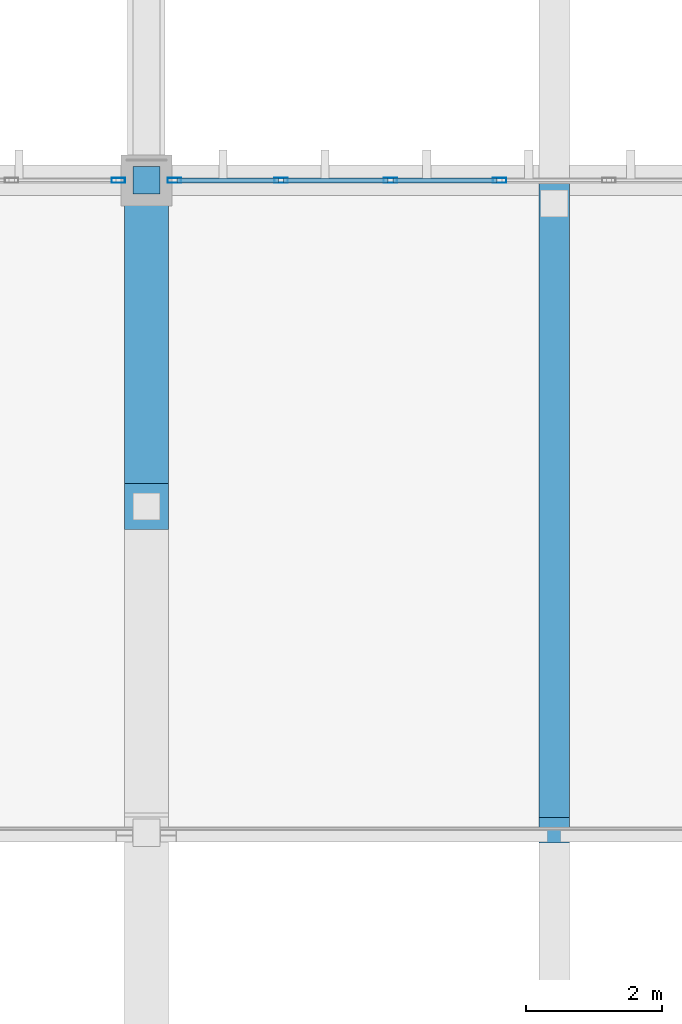
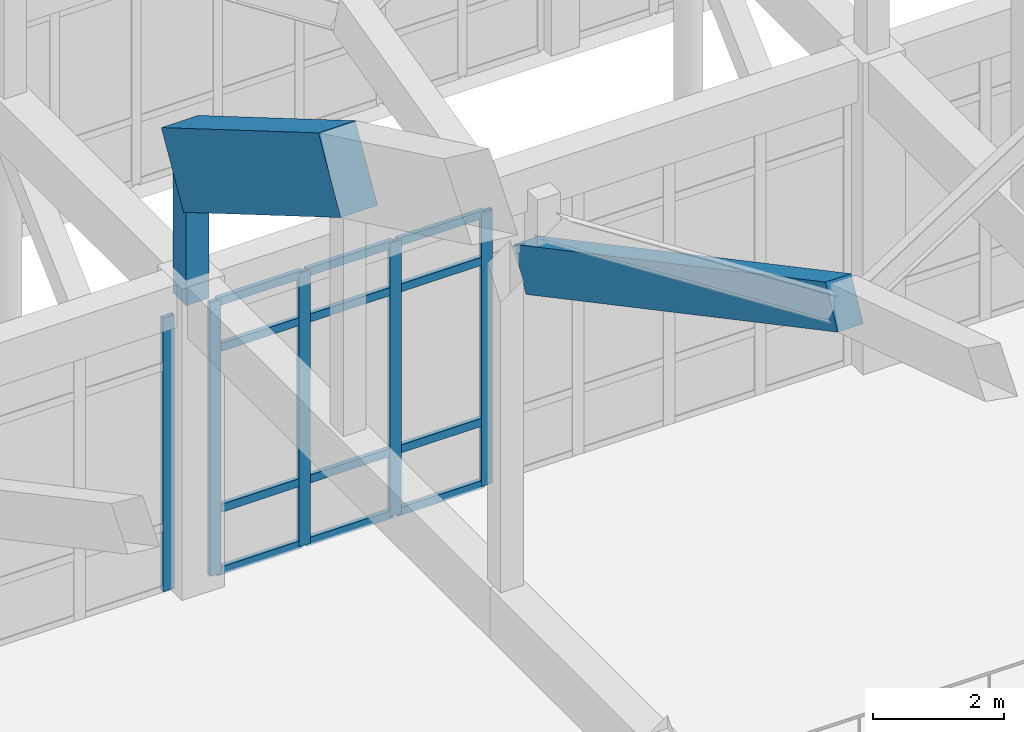
# One storey, part 78 of 236: 19 members, 1 beam, 2 elements without a shape of their own.
"""IFC4 building model written with IfcOpenShell, lengths in metres."""

from ifc_helpers import new_model, si_unit, direction, frame, origin, origin_2d, place, context, subcontext, project, spatial, rectangle, hollow_rectangle, extrude, material, layer, layer_set, material_profile, profile_set, type_object, element, aggregate, save


model = new_model("IFC4")

# Units and contexts
model_context = context("Model", 3, precision=1e-05, world=origin(), true_north=direction((0.0, 1.0)))
body_context = subcontext(model_context, "Body", "Model", "MODEL_VIEW")
ifc_project = project(units=[si_unit("LENGTHUNIT", "METRE"), si_unit("AREAUNIT", "SQUARE_METRE"), si_unit("VOLUMEUNIT", "CUBIC_METRE"), si_unit("PLANEANGLEUNIT", "RADIAN"), si_unit("MASSUNIT", "GRAM", prefix="KILO")], contexts=[model_context])

# Site, building, storey
site_placement = place(None, origin())
site = spatial("IfcSite", under=ifc_project, at=site_placement, CompositionType="ELEMENT")
building_placement = place(site_placement, origin())
building = spatial("IfcBuilding", under=site, at=building_placement, Name="Pandanus Reach Market Hall", CompositionType="ELEMENT")
storey_placement = place(building_placement, frame((0.0, 0.0, 5.39990234375)))
storey = spatial("IfcBuildingStorey", under=building, at=storey_placement, Name="L01", CompositionType="ELEMENT", Elevation=5.39990234375)

# Members
ifc_material_1 = material(Name="Concrete N50 (50 MPa)", Category="concrete")
ifc_material_profile_1 = material_profile(ifc_material_1, rectangle(XDim=0.64990234375, YDim=1.35009765625, at=origin_2d()), Name="RC650x1350", Category="LoadBearing")
ifc_profile_set_1 = profile_set([ifc_material_profile_1], Name="Concrete N50 (50 MPa)")
member_type_1 = type_object("IfcMemberType", Name="AR-RC650-E", PredefinedType="CHORD", material=ifc_profile_set_1)
member_1_placement = place(storey_placement, frame((72.0, 81.60009765625, 10.59130859375), z_axis=(0.0, 0.862886095496, -0.505398443013), x_axis=(-1.0, 0.0, 0.0)))
element("IfcMember", 1, at=member_1_placement, inside=storey, type_object=member_type_1, Name="Parabolic arch top chord A3.12", PredefinedType="CHORD", context=body_context, shape_type="SweptSolid", body=[
    extrude(rectangle(XDim=0.64990234375, YDim=1.35009765625, at=origin_2d()), origin(), (0.0, 0.0, 1.0), 5.5625),
])
ifc_material_profile_2 = material_profile(ifc_material_1, rectangle(XDim=0.39990234375, YDim=0.39990234375, at=origin_2d()), Name="RC400x400", Category="LoadBearing")
ifc_profile_set_2 = profile_set([ifc_material_profile_2], Name="Concrete N50 (50 MPa)")
member_type_2 = type_object("IfcMemberType", Name="AR-WEB400-E", PredefinedType="STRUT", material=ifc_profile_set_2)
member_2_placement = place(storey_placement, frame((72.0, 86.39990234375, 5.3251953125), z_axis=(0.0, 0.0, 1.0), x_axis=(1.0, 0.0, 0.0)))
element("IfcMember", 2, at=member_2_placement, inside=storey, type_object=member_type_2, Name="Arch springing concrete strut A3.N", PredefinedType="STRUT", context=body_context, shape_type="SweptSolid", body=[
    extrude(rectangle(XDim=0.39990234375, YDim=0.39990234375, at=origin_2d()), origin(), (0.0, 0.0, 1.0), 2.454833984375),
])

# Beam
ifc_material_2 = material(Name="Concrete N40 (40 MPa)", Category="concrete")
ifc_material_profile_3 = material_profile(ifc_material_2, rectangle(XDim=0.449951171875, YDim=0.800048828125, at=origin_2d()), Name="RC450x800", Category="LoadBearing")
ifc_profile_set_3 = profile_set([ifc_material_profile_3], Name="Concrete N40 (40 MPa)")
beam_type = type_object("IfcBeamType", Name="BM-RC450-I", PredefinedType="BEAM", material=ifc_profile_set_3)
beam_placement = place(storey_placement, frame((78.0, 76.840087890625, 8.88427734375), z_axis=(0.0, 0.882689208935, -0.469957189996), x_axis=(-1.0, 0.0, 0.0)))
element("IfcBeam", 3, at=beam_placement, inside=storey, type_object=beam_type, Name="Butterfly valley beam B3.7", PredefinedType="BEAM", context=body_context, shape_type="SweptSolid", body=[
    extrude(rectangle(XDim=0.449951171875, YDim=0.800048828125, at=origin_2d()), origin(), (0.0, 0.0, 1.0), 10.78515625),
])

# Curtain wall, member
ifc_material_3 = material(Name="Bronze anodised aluminium and low-E glass", Category="aluminium")
ifc_layer = layer(ifc_material_3, 0.199951171875, Name="CW-02")
ifc_layer_set = layer_set([ifc_layer], Name="Bronze anodised aluminium and low-E glass")
curtain_wall_type = type_object("IfcCurtainWallType", Name="CW-02", PredefinedType="NOTDEFINED", material=ifc_layer_set)
curtain_wall_1_placement = place(storey_placement, origin())
curtain_wall_1 = element("IfcCurtainWall", 4, at=curtain_wall_1_placement, inside=storey, type_object=curtain_wall_type, Name="Glazed curtain wall CW-02 CW-0010", PredefinedType="NOTDEFINED")
ifc_material_4 = material(Name="Bronze anodised aluminium", Category="aluminium")
ifc_material_profile_4 = material_profile(ifc_material_4, hollow_rectangle(XDim=0.074951171875, YDim=0.199951171875, WallThickness=0.00439453125, at=origin_2d()), Name="ALU75x200", Category="LoadBearing")
ifc_profile_set_4 = profile_set([ifc_material_profile_4], Name="Bronze anodised aluminium")
member_type_3 = type_object("IfcMemberType", Name="CW-M2", PredefinedType="MULLION", material=ifc_profile_set_4)
member_3_placement = place(storey_placement, frame((71.58740234375, 86.39990234375, 0.0), z_axis=(0.0, 0.0, 1.0), x_axis=(0.0, 1.0, 0.0)))
member_3 = element("IfcMember", 5, at=member_3_placement, type_object=member_type_3, Name="CW-02 mullion 8", PredefinedType="MULLION", context=body_context, shape_type="SweptSolid", body=[
    extrude(hollow_rectangle(XDim=0.074951171875, YDim=0.199951171875, WallThickness=0.00439453125, at=origin_2d()), origin(), (0.0, 0.0, 1.0), 5.10009765625),
])
aggregate(curtain_wall_1, [member_3])

# Curtain wall, members
curtain_wall_2_placement = place(storey_placement, origin())
curtain_wall_2 = element("IfcCurtainWall", 6, at=curtain_wall_2_placement, inside=storey, type_object=curtain_wall_type, Name="Glazed curtain wall CW-02 CW-0012", PredefinedType="NOTDEFINED")
member_4_placement = place(storey_placement, frame((72.41259765625, 86.39990234375, 0.0), z_axis=(0.0, 0.0, 1.0), x_axis=(0.0, 1.0, 0.0)))
member_4 = element("IfcMember", 7, at=member_4_placement, type_object=member_type_3, Name="CW-02 mullion 1", PredefinedType="MULLION", context=body_context, shape_type="SweptSolid", body=[
    extrude(hollow_rectangle(XDim=0.074951171875, YDim=0.199951171875, WallThickness=0.00439453125, at=origin_2d()), origin(), (0.0, 0.0, 1.0), 5.10009765625),
])
member_5_placement = place(storey_placement, frame((73.982177734375, 86.39990234375, 0.0), z_axis=(0.0, 0.0, 1.0), x_axis=(0.0, 1.0, 0.0)))
member_5 = element("IfcMember", 8, at=member_5_placement, type_object=member_type_3, Name="CW-02 mullion 2", PredefinedType="MULLION", context=body_context, shape_type="SweptSolid", body=[
    extrude(hollow_rectangle(XDim=0.074951171875, YDim=0.199951171875, WallThickness=0.00439453125, at=origin_2d()), origin(), (0.0, 0.0, 1.0), 5.10009765625),
])
member_6_placement = place(storey_placement, frame((75.58935546875, 86.39990234375, 0.0), z_axis=(0.0, 0.0, 1.0), x_axis=(0.0, 1.0, 0.0)))
member_6 = element("IfcMember", 9, at=member_6_placement, type_object=member_type_3, Name="CW-02 mullion 3", PredefinedType="MULLION", context=body_context, shape_type="SweptSolid", body=[
    extrude(hollow_rectangle(XDim=0.074951171875, YDim=0.199951171875, WallThickness=0.00439453125, at=origin_2d()), origin(), (0.0, 0.0, 1.0), 5.10009765625),
])
member_7_placement = place(storey_placement, frame((77.196533203125, 86.39990234375, 0.0), z_axis=(0.0, 0.0, 1.0), x_axis=(0.0, 1.0, 0.0)))
member_7 = element("IfcMember", 10, at=member_7_placement, type_object=member_type_3, Name="CW-02 mullion 4", PredefinedType="MULLION", context=body_context, shape_type="SweptSolid", body=[
    extrude(hollow_rectangle(XDim=0.074951171875, YDim=0.199951171875, WallThickness=0.00439453125, at=origin_2d()), origin(), (0.0, 0.0, 1.0), 5.10009765625),
])
ifc_material_profile_5 = material_profile(ifc_material_4, hollow_rectangle(XDim=0.074951171875, YDim=0.14990234375, WallThickness=0.00439453125, at=origin_2d()), Name="ALU75x150", Category="LoadBearing")
ifc_profile_set_5 = profile_set([ifc_material_profile_5], Name="Bronze anodised aluminium")
member_type_4 = type_object("IfcMemberType", Name="CW-T2", PredefinedType="USERDEFINED", material=ifc_profile_set_5)
member_8_placement = place(storey_placement, frame((72.449951171875, 86.39990234375, 0.03759765625), z_axis=(1.0, 0.0, 0.0), x_axis=(0.0, 1.0, 0.0)))
member_8 = element("IfcMember", 11, at=member_8_placement, type_object=member_type_4, Name="CW-02 transom 1.1", ObjectType="TRANSOM", PredefinedType="USERDEFINED", context=body_context, shape_type="SweptSolid", body=[
    extrude(hollow_rectangle(XDim=0.074951171875, YDim=0.14990234375, WallThickness=0.00439453125, at=origin_2d()), origin(), (0.0, 0.0, 1.0), 1.49462890625),
])
member_9_placement = place(storey_placement, frame((72.449951171875, 86.39990234375, 1.2001953125), z_axis=(1.0, 0.0, 0.0), x_axis=(0.0, 1.0, 0.0)))
member_9 = element("IfcMember", 12, at=member_9_placement, type_object=member_type_4, Name="CW-02 transom 1.2", ObjectType="TRANSOM", PredefinedType="USERDEFINED", context=body_context, shape_type="SweptSolid", body=[
    extrude(hollow_rectangle(XDim=0.074951171875, YDim=0.14990234375, WallThickness=0.00439453125, at=origin_2d()), origin(), (0.0, 0.0, 1.0), 1.49462890625),
])
member_10_placement = place(storey_placement, frame((72.449951171875, 86.39990234375, 4.2001953125), z_axis=(1.0, 0.0, 0.0), x_axis=(0.0, 1.0, 0.0)))
member_10 = element("IfcMember", 13, at=member_10_placement, type_object=member_type_4, Name="CW-02 transom 1.3", ObjectType="TRANSOM", PredefinedType="USERDEFINED", context=body_context, shape_type="SweptSolid", body=[
    extrude(hollow_rectangle(XDim=0.074951171875, YDim=0.14990234375, WallThickness=0.00439453125, at=origin_2d()), origin(), (0.0, 0.0, 1.0), 1.49462890625),
])
member_11_placement = place(storey_placement, frame((72.449951171875, 86.39990234375, 5.0625), z_axis=(1.0, 0.0, 0.0), x_axis=(0.0, 1.0, 0.0)))
member_11 = element("IfcMember", 14, at=member_11_placement, type_object=member_type_4, Name="CW-02 transom 1.4", ObjectType="TRANSOM", PredefinedType="USERDEFINED", context=body_context, shape_type="SweptSolid", body=[
    extrude(hollow_rectangle(XDim=0.074951171875, YDim=0.14990234375, WallThickness=0.00439453125, at=origin_2d()), origin(), (0.0, 0.0, 1.0), 1.49462890625),
])
member_12_placement = place(storey_placement, frame((74.01953125, 86.39990234375, 0.03759765625), z_axis=(1.0, 0.0, 0.0), x_axis=(0.0, 1.0, 0.0)))
member_12 = element("IfcMember", 15, at=member_12_placement, type_object=member_type_4, Name="CW-02 transom 2.1", ObjectType="TRANSOM", PredefinedType="USERDEFINED", context=body_context, shape_type="SweptSolid", body=[
    extrude(hollow_rectangle(XDim=0.074951171875, YDim=0.14990234375, WallThickness=0.00439453125, at=origin_2d()), origin(), (0.0, 0.0, 1.0), 1.5322265625),
])
member_13_placement = place(storey_placement, frame((74.01953125, 86.39990234375, 1.2001953125), z_axis=(1.0, 0.0, 0.0), x_axis=(0.0, 1.0, 0.0)))
member_13 = element("IfcMember", 16, at=member_13_placement, type_object=member_type_4, Name="CW-02 transom 2.2", ObjectType="TRANSOM", PredefinedType="USERDEFINED", context=body_context, shape_type="SweptSolid", body=[
    extrude(hollow_rectangle(XDim=0.074951171875, YDim=0.14990234375, WallThickness=0.00439453125, at=origin_2d()), origin(), (0.0, 0.0, 1.0), 1.5322265625),
])
member_14_placement = place(storey_placement, frame((74.01953125, 86.39990234375, 4.2001953125), z_axis=(1.0, 0.0, 0.0), x_axis=(0.0, 1.0, 0.0)))
member_14 = element("IfcMember", 17, at=member_14_placement, type_object=member_type_4, Name="CW-02 transom 2.3", ObjectType="TRANSOM", PredefinedType="USERDEFINED", context=body_context, shape_type="SweptSolid", body=[
    extrude(hollow_rectangle(XDim=0.074951171875, YDim=0.14990234375, WallThickness=0.00439453125, at=origin_2d()), origin(), (0.0, 0.0, 1.0), 1.5322265625),
])
member_15_placement = place(storey_placement, frame((74.01953125, 86.39990234375, 5.0625), z_axis=(1.0, 0.0, 0.0), x_axis=(0.0, 1.0, 0.0)))
member_15 = element("IfcMember", 18, at=member_15_placement, type_object=member_type_4, Name="CW-02 transom 2.4", ObjectType="TRANSOM", PredefinedType="USERDEFINED", context=body_context, shape_type="SweptSolid", body=[
    extrude(hollow_rectangle(XDim=0.074951171875, YDim=0.14990234375, WallThickness=0.00439453125, at=origin_2d()), origin(), (0.0, 0.0, 1.0), 1.5322265625),
])
member_16_placement = place(storey_placement, frame((75.626708984375, 86.39990234375, 0.03759765625), z_axis=(1.0, 0.0, 0.0), x_axis=(0.0, 1.0, 0.0)))
member_16 = element("IfcMember", 19, at=member_16_placement, type_object=member_type_4, Name="CW-02 transom 3.1", ObjectType="TRANSOM", PredefinedType="USERDEFINED", context=body_context, shape_type="SweptSolid", body=[
    extrude(hollow_rectangle(XDim=0.074951171875, YDim=0.14990234375, WallThickness=0.00439453125, at=origin_2d()), origin(), (0.0, 0.0, 1.0), 1.5322265625),
])
member_17_placement = place(storey_placement, frame((75.626708984375, 86.39990234375, 1.2001953125), z_axis=(1.0, 0.0, 0.0), x_axis=(0.0, 1.0, 0.0)))
member_17 = element("IfcMember", 20, at=member_17_placement, type_object=member_type_4, Name="CW-02 transom 3.2", ObjectType="TRANSOM", PredefinedType="USERDEFINED", context=body_context, shape_type="SweptSolid", body=[
    extrude(hollow_rectangle(XDim=0.074951171875, YDim=0.14990234375, WallThickness=0.00439453125, at=origin_2d()), origin(), (0.0, 0.0, 1.0), 1.5322265625),
])
member_18_placement = place(storey_placement, frame((75.626708984375, 86.39990234375, 4.2001953125), z_axis=(1.0, 0.0, 0.0), x_axis=(0.0, 1.0, 0.0)))
member_18 = element("IfcMember", 21, at=member_18_placement, type_object=member_type_4, Name="CW-02 transom 3.3", ObjectType="TRANSOM", PredefinedType="USERDEFINED", context=body_context, shape_type="SweptSolid", body=[
    extrude(hollow_rectangle(XDim=0.074951171875, YDim=0.14990234375, WallThickness=0.00439453125, at=origin_2d()), origin(), (0.0, 0.0, 1.0), 1.5322265625),
])
member_19_placement = place(storey_placement, frame((75.626708984375, 86.39990234375, 5.0625), z_axis=(1.0, 0.0, 0.0), x_axis=(0.0, 1.0, 0.0)))
member_19 = element("IfcMember", 22, at=member_19_placement, type_object=member_type_4, Name="CW-02 transom 3.4", ObjectType="TRANSOM", PredefinedType="USERDEFINED", context=body_context, shape_type="SweptSolid", body=[
    extrude(hollow_rectangle(XDim=0.074951171875, YDim=0.14990234375, WallThickness=0.00439453125, at=origin_2d()), origin(), (0.0, 0.0, 1.0), 1.5322265625),
])
aggregate(curtain_wall_2, [member_4, member_5, member_6, member_7, member_8, member_9, member_10, member_11, member_12, member_13, member_14, member_15, member_16, member_17, member_18, member_19])

save(model, "model.ifc")
